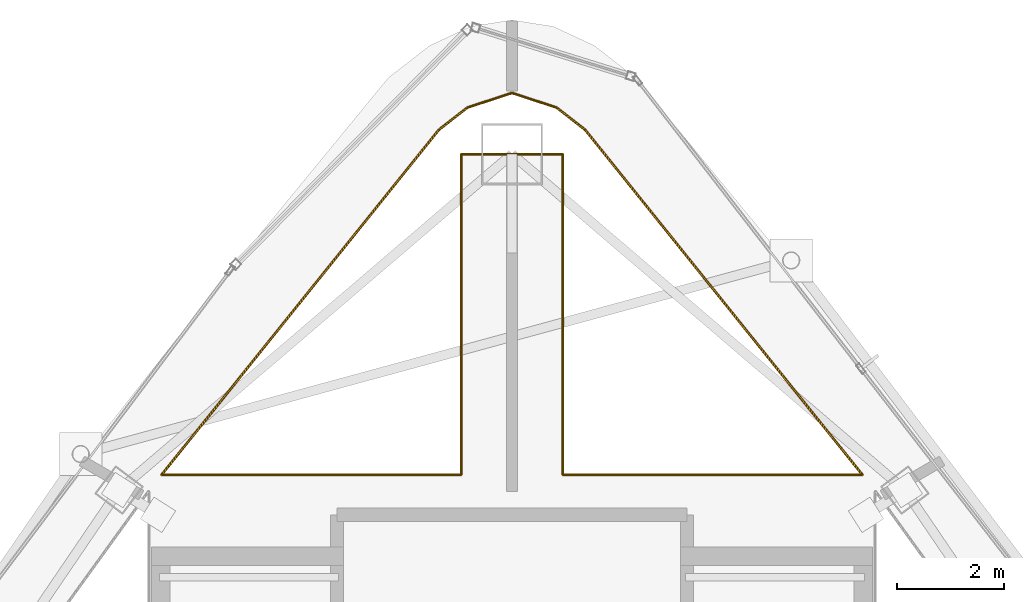
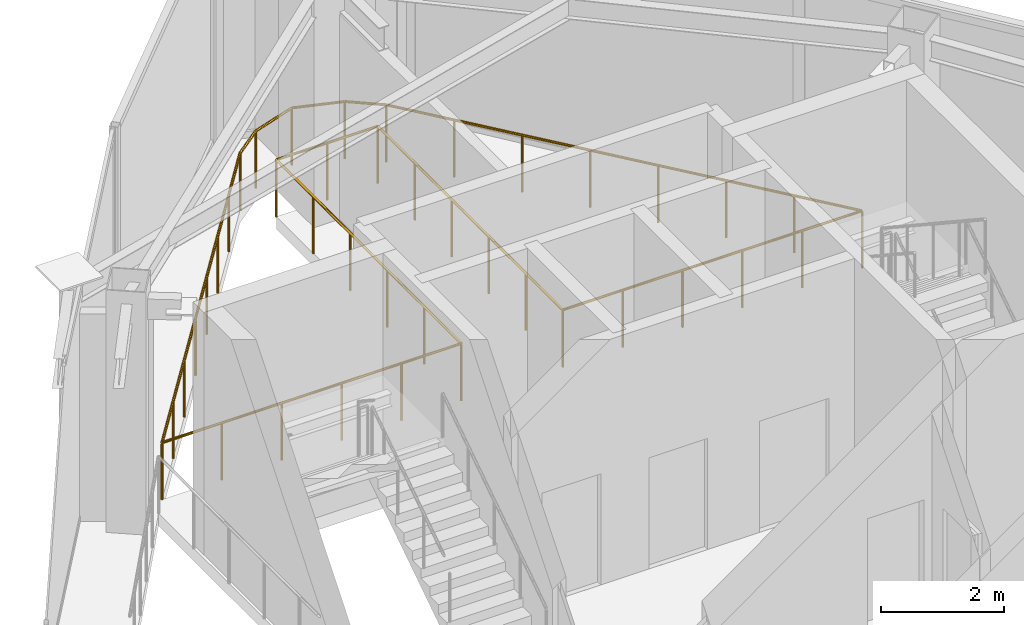
# One storey, part 20 of 20: 1 railing.
"""IFC4 building model written with IfcOpenShell, lengths in metres."""

from ifc_helpers import new_model, si_unit, direction, frame, origin, origin_2d, place, context, subcontext, project, spatial, circle, extrude, material, type_object, element, save


model = new_model("IFC4")

# Units and contexts
model_context = context("Model", 3, precision=1e-05, world=origin(), true_north=direction((0.0, 1.0)))
body_context = subcontext(model_context, "Body", "Model", "MODEL_VIEW")
ifc_project = project(units=[si_unit("LENGTHUNIT", "METRE"), si_unit("AREAUNIT", "SQUARE_METRE"), si_unit("VOLUMEUNIT", "CUBIC_METRE"), si_unit("PLANEANGLEUNIT", "RADIAN"), si_unit("MASSUNIT", "GRAM", prefix="KILO")], contexts=[model_context])

# Site, building, storey
site_placement = place(None, origin())
site = spatial("IfcSite", under=ifc_project, at=site_placement, CompositionType="ELEMENT")
building_placement = place(site_placement, origin())
building = spatial("IfcBuilding", under=site, at=building_placement, Name="Orvanel Arch Residences", CompositionType="ELEMENT")
storey_placement = place(building_placement, frame((0.0, 0.0, 300.5)))
storey = spatial("IfcBuildingStorey", under=building, at=storey_placement, Name="L84", CompositionType="ELEMENT", Elevation=300.5)

# Railing
ifc_material = material(Name="Bronze-anodised aluminium AA6063-T6", Category="aluminium")
railing_type = type_object("IfcRailingType", Name="RL-ATR-1150", PredefinedType="BALUSTRADE", material=ifc_material)
railing_placement = place(storey_placement, frame((39.554931640625, 35.39990234375, 0.0)))
element("IfcRailing", 1, at=railing_placement, inside=storey, type_object=railing_type, Name="L84 Crown Conservatory Void 1 Balustrade", PredefinedType="BALUSTRADE", context=body_context, shape_type="SweptSolid", body=[
    extrude(circle(Radius=0.02392578125, at=origin_2d()), frame((-0.00146484375, 0.0, 1.1259765625), z_axis=(-1.0, 0.0, 0.0), x_axis=(0.0, -1.0, 0.0)), (0.0, 0.0, 1.0), 5.60205078125),
    extrude(circle(Radius=0.02392578125, at=origin_2d()), frame((-5.60498046875, 0.00146484375, 1.1259765625), z_axis=(0.0, 1.0, 0.0), x_axis=(-1.0, 0.0, 0.0)), (0.0, 0.0, 1.0), 5.9951171875),
    extrude(circle(Radius=0.02392578125, at=origin_2d()), frame((-5.6064453125, 5.998046875, 1.1259765625), z_axis=(-1.0, 0.0, 0.0), x_axis=(0.0, -1.0, 0.0)), (0.0, 0.0, 1.0), 1.89697265625),
    extrude(circle(Radius=0.02392578125, at=origin_2d()), frame((-7.5048828125, 5.99658203125, 1.1259765625), z_axis=(0.0, -1.0, 0.0), x_axis=(1.0, 0.0, 0.0)), (0.0, 0.0, 1.0), 5.9951171875),
    extrude(circle(Radius=0.02392578125, at=origin_2d()), frame((-7.50634765625, 0.0, 1.1259765625), z_axis=(-1.0, 0.0, 0.0), x_axis=(0.0, -1.0, 0.0)), (0.0, 0.0, 1.0), 5.60205078125),
    extrude(circle(Radius=0.02392578125, at=origin_2d()), frame((-13.10888671875, 0.001220703125, 1.1259765625), z_axis=(0.626455081924, 0.779457523109, 0.0), x_axis=(-0.779457523109, 0.626455081924, 0.0)), (0.0, 0.0, 1.0), 8.278564453125),
    extrude(circle(Radius=0.02392578125, at=origin_2d()), frame((-7.920654296875, 6.4560546875, 1.1259765625), z_axis=(0.788982312602, 0.614415909951, 0.0), x_axis=(-0.614415909951, 0.788982312602, 0.0)), (0.0, 0.0, 1.0), 0.672607421875),
    extrude(circle(Radius=0.02392578125, at=origin_2d()), frame((-7.387451171875, 6.87060546875, 1.1259765625), z_axis=(0.950394138298, 0.311048198658, 0.0), x_axis=(-0.311048198658, 0.950394138298, 0.0)), (0.0, 0.0, 1.0), 0.87451171875),
    extrude(circle(Radius=0.02392578125, at=origin_2d()), frame((-6.553466796875, 7.142578125, 1.1259765625), z_axis=(0.950394138298, -0.311048198658, 0.0), x_axis=(0.311048198658, 0.950394138298, 0.0)), (0.0, 0.0, 1.0), 0.87451171875),
    extrude(circle(Radius=0.02392578125, at=origin_2d()), frame((-5.7197265625, 6.869140625, 1.1259765625), z_axis=(0.788982312602, -0.614415909951, 0.0), x_axis=(0.614415909951, 0.788982312602, 0.0)), (0.0, 0.0, 1.0), 0.672607421875),
    extrude(circle(Radius=0.02392578125, at=origin_2d()), frame((-5.18701171875, 6.453857421875, 1.1259765625), z_axis=(0.626455081924, -0.779457523109, 0.0), x_axis=(0.779457523109, 0.626455081924, 0.0)), (0.0, 0.0, 1.0), 8.278564453125),
    extrude(circle(Radius=0.02099609375, at=origin_2d()), origin(), (0.0, 0.0, 1.0), 1.099853515625),
    extrude(circle(Radius=0.02099609375, at=origin_2d()), frame((-1.12109375, 0.0, 0.0)), (0.0, 0.0, 1.0), 1.099853515625),
    extrude(circle(Radius=0.02099609375, at=origin_2d()), frame((-2.241943359375, 0.0, 0.0)), (0.0, 0.0, 1.0), 1.099853515625),
    extrude(circle(Radius=0.02099609375, at=origin_2d()), frame((-3.363037109375, 0.0, 0.0)), (0.0, 0.0, 1.0), 1.099853515625),
    extrude(circle(Radius=0.02099609375, at=origin_2d()), frame((-4.48388671875, 0.0, 0.0)), (0.0, 0.0, 1.0), 1.099853515625),
    extrude(circle(Radius=0.02099609375, at=origin_2d()), frame((-5.60498046875, 0.0, 0.0)), (0.0, 0.0, 1.0), 1.099853515625),
    extrude(circle(Radius=0.02099609375, at=origin_2d()), frame((-5.60498046875, 1.19970703125, 0.0)), (0.0, 0.0, 1.0), 1.099853515625),
    extrude(circle(Radius=0.02099609375, at=origin_2d()), frame((-5.60498046875, 2.399169921875, 0.0)), (0.0, 0.0, 1.0), 1.099853515625),
    extrude(circle(Radius=0.02099609375, at=origin_2d()), frame((-5.60498046875, 3.598876953125, 0.0)), (0.0, 0.0, 1.0), 1.099853515625),
    extrude(circle(Radius=0.02099609375, at=origin_2d()), frame((-5.60498046875, 4.79833984375, 0.0)), (0.0, 0.0, 1.0), 1.099853515625),
    extrude(circle(Radius=0.02099609375, at=origin_2d()), frame((-5.60498046875, 5.998046875, 0.0)), (0.0, 0.0, 1.0), 1.099853515625),
    extrude(circle(Radius=0.02099609375, at=origin_2d()), frame((-6.554931640625, 5.998046875, 0.0)), (0.0, 0.0, 1.0), 1.099853515625),
    extrude(circle(Radius=0.02099609375, at=origin_2d()), frame((-7.5048828125, 5.998046875, 0.0)), (0.0, 0.0, 1.0), 1.099853515625),
    extrude(circle(Radius=0.02099609375, at=origin_2d()), frame((-7.5048828125, 4.79833984375, 0.0)), (0.0, 0.0, 1.0), 1.099853515625),
    extrude(circle(Radius=0.02099609375, at=origin_2d()), frame((-7.5048828125, 3.598876953125, 0.0)), (0.0, 0.0, 1.0), 1.099853515625),
    extrude(circle(Radius=0.02099609375, at=origin_2d()), frame((-7.5048828125, 2.399169921875, 0.0)), (0.0, 0.0, 1.0), 1.099853515625),
    extrude(circle(Radius=0.02099609375, at=origin_2d()), frame((-7.5048828125, 1.19970703125, 0.0)), (0.0, 0.0, 1.0), 1.099853515625),
    extrude(circle(Radius=0.02099609375, at=origin_2d()), frame((-7.5048828125, 0.0, 0.0)), (0.0, 0.0, 1.0), 1.099853515625),
    extrude(circle(Radius=0.02099609375, at=origin_2d()), frame((-8.6259765625, 0.0, 0.0)), (0.0, 0.0, 1.0), 1.099853515625),
    extrude(circle(Radius=0.02099609375, at=origin_2d()), frame((-9.746826171875, 0.0, 0.0)), (0.0, 0.0, 1.0), 1.099853515625),
    extrude(circle(Radius=0.02099609375, at=origin_2d()), frame((-10.867919921875, 0.0, 0.0)), (0.0, 0.0, 1.0), 1.099853515625),
    extrude(circle(Radius=0.02099609375, at=origin_2d()), frame((-11.98876953125, 0.0, 0.0)), (0.0, 0.0, 1.0), 1.099853515625),
    extrude(circle(Radius=0.02099609375, at=origin_2d()), frame((-13.10986328125, 0.0, 0.0)), (0.0, 0.0, 1.0), 1.099853515625),
    extrude(circle(Radius=0.02099609375, at=origin_2d()), frame((-12.36865234375, 0.922119140625, 0.0)), (0.0, 0.0, 1.0), 1.099853515625),
    extrude(circle(Radius=0.02099609375, at=origin_2d()), frame((-11.627685546875, 1.84423828125, 0.0)), (0.0, 0.0, 1.0), 1.099853515625),
    extrude(circle(Radius=0.02099609375, at=origin_2d()), frame((-10.886474609375, 2.766357421875, 0.0)), (0.0, 0.0, 1.0), 1.099853515625),
    extrude(circle(Radius=0.02099609375, at=origin_2d()), frame((-10.145263671875, 3.688720703125, 0.0)), (0.0, 0.0, 1.0), 1.099853515625),
    extrude(circle(Radius=0.02099609375, at=origin_2d()), frame((-9.404052734375, 4.61083984375, 0.0)), (0.0, 0.0, 1.0), 1.099853515625),
    extrude(circle(Radius=0.02099609375, at=origin_2d()), frame((-8.6630859375, 5.532958984375, 0.0)), (0.0, 0.0, 1.0), 1.099853515625),
    extrude(circle(Radius=0.02099609375, at=origin_2d()), frame((-7.921875, 6.455078125, 0.0)), (0.0, 0.0, 1.0), 1.099853515625),
    extrude(circle(Radius=0.02099609375, at=origin_2d()), frame((-7.388916015625, 6.8701171875, 0.0)), (0.0, 0.0, 1.0), 1.099853515625),
    extrude(circle(Radius=0.02099609375, at=origin_2d()), frame((-6.554931640625, 7.14306640625, 0.0)), (0.0, 0.0, 1.0), 1.099853515625),
    extrude(circle(Radius=0.02099609375, at=origin_2d()), frame((-5.720947265625, 6.8701171875, 0.0)), (0.0, 0.0, 1.0), 1.099853515625),
    extrude(circle(Radius=0.02099609375, at=origin_2d()), frame((-5.18798828125, 6.455078125, 0.0)), (0.0, 0.0, 1.0), 1.099853515625),
    extrude(circle(Radius=0.02099609375, at=origin_2d()), frame((-4.44677734375, 5.532958984375, 0.0)), (0.0, 0.0, 1.0), 1.099853515625),
    extrude(circle(Radius=0.02099609375, at=origin_2d()), frame((-3.705810546875, 4.61083984375, 0.0)), (0.0, 0.0, 1.0), 1.099853515625),
    extrude(circle(Radius=0.02099609375, at=origin_2d()), frame((-2.964599609375, 3.688720703125, 0.0)), (0.0, 0.0, 1.0), 1.099853515625),
    extrude(circle(Radius=0.02099609375, at=origin_2d()), frame((-2.223388671875, 2.766357421875, 0.0)), (0.0, 0.0, 1.0), 1.099853515625),
    extrude(circle(Radius=0.02099609375, at=origin_2d()), frame((-1.482177734375, 1.84423828125, 0.0)), (0.0, 0.0, 1.0), 1.099853515625),
    extrude(circle(Radius=0.02099609375, at=origin_2d()), frame((-0.7412109375, 0.922119140625, 0.0)), (0.0, 0.0, 1.0), 1.099853515625),
])

save(model, "model.ifc")
